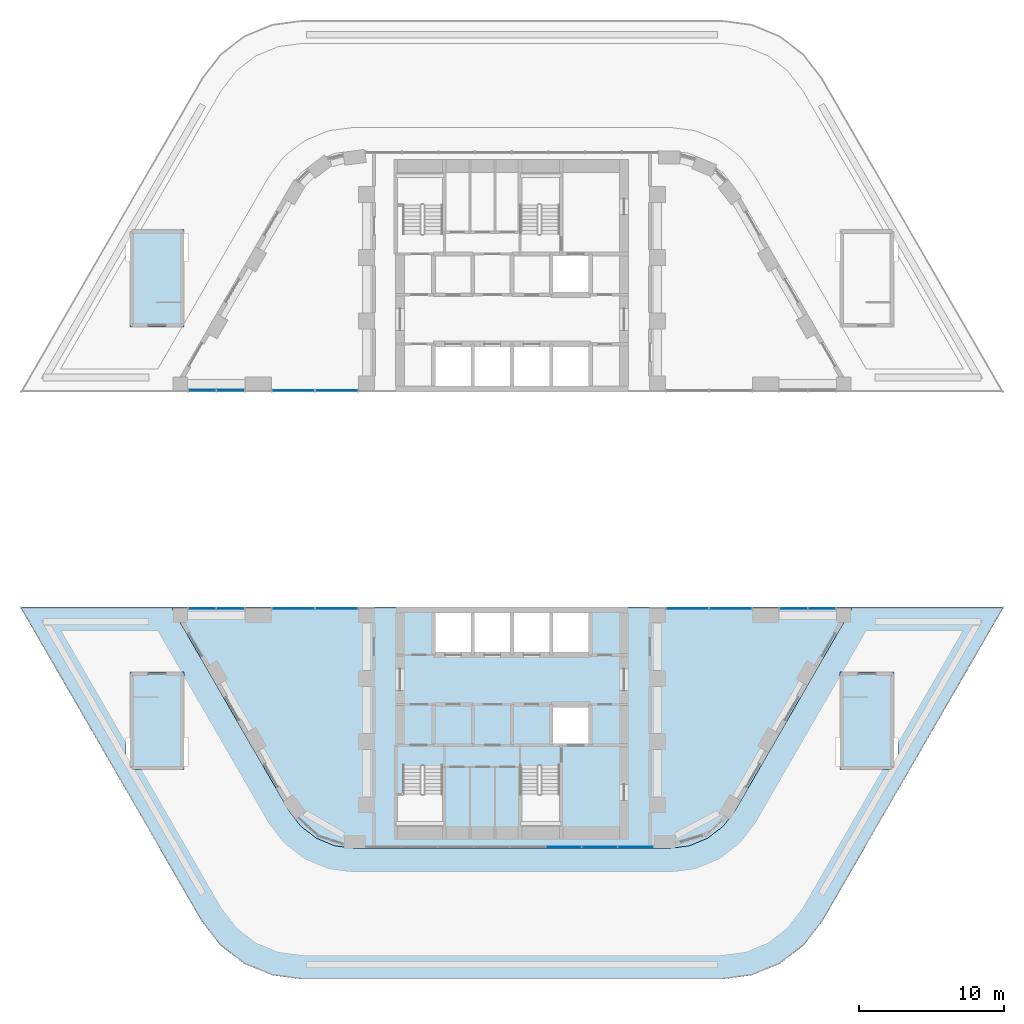
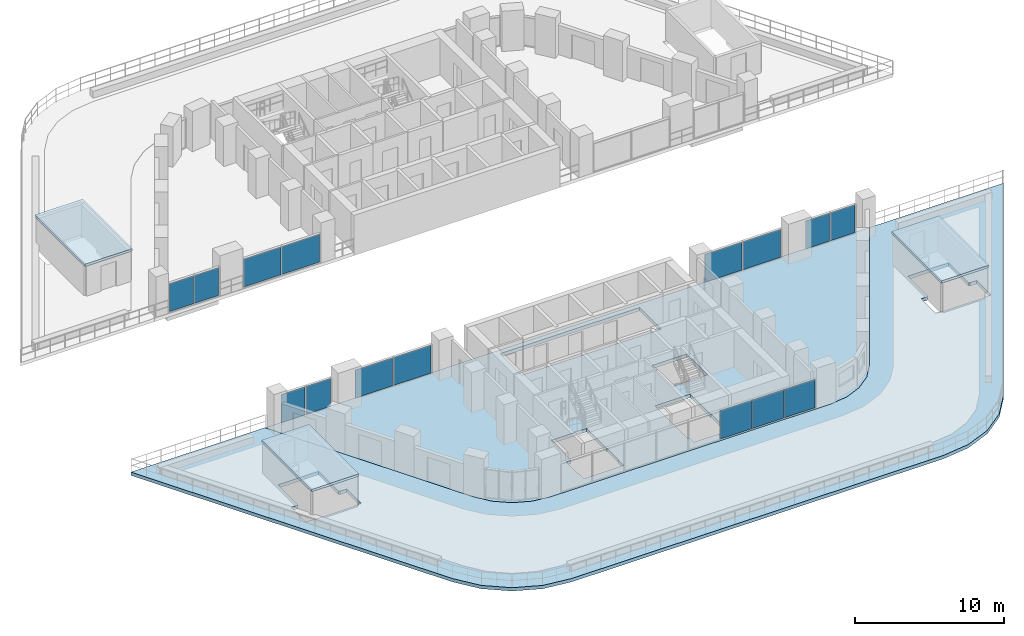
# One storey, part 7 of 24: 15 plates, 5 slabs, 7 elements without a shape of their own.
"""IFC4 building model written with IfcOpenShell, lengths in metres."""

from ifc_helpers import new_model, si_unit, direction, frame, origin, origin_2d, place, context, subcontext, project, spatial, polyline, rectangle, outline, extrude, material, layer, layer_set, type_object, element, aggregate, save


model = new_model("IFC4")

# Units and contexts
model_context = context("Model", 3, precision=1e-05, world=origin(), true_north=direction((0.0, 1.0)))
body_context = subcontext(model_context, "Body", "Model", "MODEL_VIEW")
ifc_project = project(units=[si_unit("LENGTHUNIT", "METRE"), si_unit("AREAUNIT", "SQUARE_METRE"), si_unit("VOLUMEUNIT", "CUBIC_METRE"), si_unit("PLANEANGLEUNIT", "RADIAN"), si_unit("MASSUNIT", "GRAM", prefix="KILO")], contexts=[model_context])

# Site, building, storey
site_placement = place(None, origin())
site = spatial("IfcSite", under=ifc_project, at=site_placement, CompositionType="ELEMENT")
building_placement = place(site_placement, origin())
building = spatial("IfcBuilding", under=site, at=building_placement, Name="Nakaniwa Court", CompositionType="ELEMENT")
storey_placement = place(building_placement, frame((0.0, 0.0, 28.199951171875)))
storey = spatial("IfcBuildingStorey", under=building, at=storey_placement, Name="L06", CompositionType="ELEMENT", Elevation=28.199951171875)

# Curtain wall, plates
ifc_material_1 = material(Name="Black anodised aluminium frame with dark low-E laminated double glazing", Category="aluminium")
ifc_layer_1 = layer(ifc_material_1, 0.199951171875)
ifc_layer_set_1 = layer_set([ifc_layer_1], Name="Black anodised aluminium frame with dark low-E laminated double glazing")
curtain_wall_type_1 = type_object("IfcCurtainWallType", Name="Amenity and sky level curtain wall", PredefinedType="NOTDEFINED", material=ifc_layer_set_1)
curtain_wall_1_placement = place(storey_placement, origin())
curtain_wall_1 = element("IfcCurtainWall", 1, at=curtain_wall_1_placement, inside=storey, type_object=curtain_wall_type_1, Name="L06 curtain wall CW3 11", PredefinedType="NOTDEFINED")
ifc_material_2 = material(Name="Dark toughened glass", Category="glass")
ifc_layer_2 = layer(ifc_material_2, 0.006, Name="Outer pane")
ifc_material_3 = material(Name="Argon filled cavity")
ifc_layer_3 = layer(ifc_material_3, 0.016, Name="Cavity")
ifc_material_4 = material(Name="Dark laminated safety glass", Category="glass")
ifc_layer_4 = layer(ifc_material_4, 0.006, Name="Inner pane")
ifc_layer_set_2 = layer_set([ifc_layer_2, ifc_layer_3, ifc_layer_4], Name="Dark low-E laminated double glazing")
plate_type_1 = type_object("IfcPlateType", Name="Amenity and sky level curtain wall glass panel", PredefinedType="CURTAIN_PANEL", material=ifc_layer_set_2)
plate_1_placement = place(storey_placement, frame((83.561279296875, 56.10009765625, 0.05517578125), z_axis=(0.0, 0.0, 1.0), x_axis=(1.0, 0.0, 0.0)))
plate_1 = element("IfcPlate", 2, at=plate_1_placement, type_object=plate_type_1, Name="CW3 panel 6.1", PredefinedType="CURTAIN_PANEL", context=body_context, shape_type="SweptSolid", body=[
    extrude(rectangle(XDim=2.425048828125, YDim=0.028076171875, at=origin_2d()), origin(), (0.0, 0.0, 1.0), 2.31494140625),
])
plate_2_placement = place(storey_placement, frame((86.041015625, 56.10009765625, 0.05517578125), z_axis=(0.0, 0.0, 1.0), x_axis=(1.0, 0.0, 0.0)))
plate_2 = element("IfcPlate", 3, at=plate_2_placement, type_object=plate_type_1, Name="CW3 panel 7.1", PredefinedType="CURTAIN_PANEL", context=body_context, shape_type="SweptSolid", body=[
    extrude(rectangle(XDim=2.425048828125, YDim=0.028076171875, at=origin_2d()), origin(), (0.0, 0.0, 1.0), 2.31494140625),
])
plate_3_placement = place(storey_placement, frame((88.50732421875, 56.10009765625, 0.05517578125), z_axis=(0.0, 0.0, 1.0), x_axis=(1.0, 0.0, 0.0)))
plate_3 = element("IfcPlate", 4, at=plate_3_placement, type_object=plate_type_1, Name="CW3 panel 8.1", PredefinedType="CURTAIN_PANEL", context=body_context, shape_type="SweptSolid", body=[
    extrude(rectangle(XDim=2.3974609375, YDim=0.028076171875, at=origin_2d()), origin(), (0.0, 0.0, 1.0), 2.31494140625),
])
aggregate(curtain_wall_1, [plate_1, plate_2, plate_3])

# Slabs
ifc_material_5 = material(Name="Concrete C100/115", Category="concrete")
ifc_layer_5 = layer(ifc_material_5, 0.27490234375)
ifc_layer_set_3 = layer_set([ifc_layer_5], Name="Concrete C100/115")
slab_type_1 = type_object("IfcSlabType", Name="Concrete C100/115 post tensioned floor slab 275", PredefinedType="FLOOR", material=ifc_layer_set_3)
slab_1_placement = place(storey_placement, frame((0.0, 0.0, -0.27490234375)))
element("IfcSlab", 5, at=slab_1_placement, inside=storey, type_object=slab_type_1, Name="FLOOR SLAB", PredefinedType="FLOOR", context=body_context, shape_type="SweptSolid", body=[
    extrude(outline(polyline([(95.357421875, 58.60009765625), (103.4404296875, 72.60009765625), (56.5595703125, 72.60009765625), (64.642578125, 58.60009765625), (65.468994140625, 57.52294921875), (66.5458984375, 56.69677734375), (67.800048828125, 56.17724609375), (69.145751953125, 56.0), (90.854248046875, 56.0), (92.199951171875, 56.17724609375), (93.4541015625, 56.69677734375), (94.531005859375, 57.52294921875), (95.357421875, 58.60009765625)]), holes=[polyline([(75.22509765625, 57.324951171875), (75.22509765625, 57.4599609375), (75.264892578125, 57.4599609375), (75.264892578125, 59.014892578125), (75.22509765625, 59.014892578125), (75.22509765625, 61.7099609375), (72.47509765625, 61.7099609375), (72.47509765625, 59.014892578125), (72.0849609375, 59.014892578125), (72.0849609375, 57.4599609375), (72.125, 57.4599609375), (72.125, 56.72509765625), (75.22509765625, 56.72509765625), (75.22509765625, 57.324951171875)]), polyline([(74.60009765625, 72.199951171875), (74.60009765625, 69.300048828125), (77.300048828125, 69.300048828125), (80.0, 69.300048828125), (82.699951171875, 69.300048828125), (85.39990234375, 69.300048828125), (85.39990234375, 72.199951171875), (82.699951171875, 72.199951171875), (80.0, 72.199951171875), (77.300048828125, 72.199951171875), (74.60009765625, 72.199951171875)]), polyline([(83.27490234375, 57.324951171875), (83.27490234375, 57.4599609375), (83.31494140625, 57.4599609375), (83.31494140625, 59.014892578125), (83.27490234375, 59.014892578125), (83.27490234375, 61.7099609375), (80.52490234375, 61.7099609375), (80.52490234375, 57.324951171875), (80.675048828125, 57.324951171875), (80.675048828125, 56.72509765625), (83.27490234375, 56.72509765625), (83.27490234375, 57.324951171875)]), polyline([(82.699951171875, 65.89990234375), (82.699951171875, 63.10009765625), (85.39990234375, 63.10009765625), (85.39990234375, 65.89990234375), (82.699951171875, 65.89990234375)])]), origin(), (0.0, 0.0, 1.0), 0.27490234375),
])
slab_2_placement = place(storey_placement, frame((0.0, 0.0, -0.27490234375)))
element("IfcSlab", 6, at=slab_2_placement, inside=storey, type_object=slab_type_1, Name="PLAY DECK", PredefinedType="FLOOR", context=body_context, shape_type="SweptSolid", body=[
    extrude(outline(polyline([(101.362060546875, 51.0), (113.832763671875, 72.60009765625), (103.4404296875, 72.60009765625), (95.357421875, 58.60009765625), (94.531005859375, 57.52294921875), (93.4541015625, 56.69677734375), (92.199951171875, 56.17724609375), (90.854248046875, 56.0), (69.145751953125, 56.0), (67.800048828125, 56.17724609375), (66.5458984375, 56.69677734375), (65.468994140625, 57.52294921875), (64.642578125, 58.60009765625), (56.5595703125, 72.60009765625), (46.167236328125, 72.60009765625), (58.637939453125, 51.0), (59.909423828125, 49.343017578125), (61.566162109375, 48.07177734375), (63.49560546875, 47.272705078125), (65.566162109375, 47.0), (94.433837890625, 47.0), (96.50439453125, 47.272705078125), (98.433837890625, 48.07177734375), (100.090576171875, 49.343017578125), (101.362060546875, 51.0)]), holes=[polyline([(53.425048828125, 63.625), (53.425048828125, 61.675048828125), (53.93505859375, 61.675048828125), (53.93505859375, 61.635009765625), (57.215087890625, 61.635009765625), (57.215087890625, 61.675048828125), (57.72509765625, 61.675048828125), (57.72509765625, 63.625), (57.215087890625, 63.625), (57.215087890625, 63.6650390625), (57.125, 63.6650390625), (57.125, 66.360107421875), (53.97509765625, 66.360107421875), (53.97509765625, 63.6650390625), (53.93505859375, 63.6650390625), (53.93505859375, 63.625), (53.425048828125, 63.625)]), polyline([(102.784912109375, 63.6650390625), (102.784912109375, 63.625), (102.27490234375, 63.625), (102.27490234375, 61.675048828125), (102.784912109375, 61.675048828125), (102.784912109375, 61.635009765625), (106.06494140625, 61.635009765625), (106.06494140625, 61.675048828125), (106.574951171875, 61.675048828125), (106.574951171875, 63.625), (106.06494140625, 63.625), (106.06494140625, 63.6650390625), (105.97509765625, 63.6650390625), (105.97509765625, 66.360107421875), (102.824951171875, 66.360107421875), (102.824951171875, 63.6650390625), (102.784912109375, 63.6650390625)])]), origin(), (0.0, 0.0, 1.0), 0.27490234375),
])
ifc_material_6 = material(Name="Concrete C80/100", Category="concrete")
ifc_layer_6 = layer(ifc_material_6, 0.199951171875)
ifc_layer_set_4 = layer_set([ifc_layer_6], Name="Concrete C80/100")
slab_type_2 = type_object("IfcSlabType", Name="Head house roof slab 200", PredefinedType="ROOF", material=ifc_layer_set_4)
slab_3_placement = place(storey_placement, frame((0.0, 0.0, 2.5)))
element("IfcSlab", 7, at=slab_3_placement, inside=storey, type_object=slab_type_2, Name="Stair SS2 head house roof", PredefinedType="ROOF", context=body_context, shape_type="SweptSolid", body=[
    extrude(outline(polyline([(53.72509765625, 91.875), (57.425048828125, 91.875), (57.425048828125, 98.574951171875), (53.72509765625, 98.574951171875), (53.72509765625, 91.875)])), origin(), (0.0, 0.0, 1.0), 0.199951171875),
])
slab_4_placement = place(storey_placement, frame((0.0, 0.0, 2.5)))
element("IfcSlab", 8, at=slab_4_placement, inside=storey, type_object=slab_type_2, Name="Stair SS3 head house roof", PredefinedType="ROOF", context=body_context, shape_type="SweptSolid", body=[
    extrude(outline(polyline([(102.574951171875, 61.425048828125), (106.27490234375, 61.425048828125), (106.27490234375, 68.125), (102.574951171875, 68.125), (102.574951171875, 61.425048828125)])), origin(), (0.0, 0.0, 1.0), 0.199951171875),
])
slab_5_placement = place(storey_placement, frame((0.0, 0.0, 2.5)))
element("IfcSlab", 9, at=slab_5_placement, inside=storey, type_object=slab_type_2, Name="Stair SS4 head house roof", PredefinedType="ROOF", context=body_context, shape_type="SweptSolid", body=[
    extrude(outline(polyline([(53.72509765625, 61.425048828125), (57.425048828125, 61.425048828125), (57.425048828125, 68.125), (53.72509765625, 68.125), (53.72509765625, 61.425048828125)])), origin(), (0.0, 0.0, 1.0), 0.199951171875),
])

# Curtain wall, plates
ifc_layer_7 = layer(ifc_material_1, 0.199951171875)
ifc_layer_set_5 = layer_set([ifc_layer_7], Name="Black anodised aluminium frame with dark low-E laminated double glazing")
curtain_wall_type_2 = type_object("IfcCurtainWallType", Name="Portal side curtain wall", PredefinedType="NOTDEFINED", material=ifc_layer_set_5)
curtain_wall_2_placement = place(storey_placement, origin())
curtain_wall_2 = element("IfcCurtainWall", 10, at=curtain_wall_2_placement, inside=storey, type_object=curtain_wall_type_2, Name="L06 curtain wall CW5 02", PredefinedType="NOTDEFINED")
ifc_layer_8 = layer(ifc_material_2, 0.009, Name="Outer pane")
ifc_layer_9 = layer(ifc_material_3, 0.016, Name="Cavity")
ifc_layer_10 = layer(ifc_material_4, 0.009, Name="Inner pane")
ifc_layer_set_6 = layer_set([ifc_layer_8, ifc_layer_9, ifc_layer_10], Name="Dark low-E laminated double glazing")
plate_type_2 = type_object("IfcPlateType", Name="Portal side curtain wall glass panel", PredefinedType="CURTAIN_PANEL", material=ifc_layer_set_6)
plate_4_placement = place(storey_placement, frame((101.31494140625, 72.5, 0.065185546875), z_axis=(0.0, 0.0, 1.0), x_axis=(-1.0, 0.0, 0.0)))
plate_4 = element("IfcPlate", 11, at=plate_4_placement, type_object=plate_type_2, Name="CW5 panel 1.1", PredefinedType="CURTAIN_PANEL", context=body_context, shape_type="SweptSolid", body=[
    extrude(rectangle(XDim=1.8740234375, YDim=0.033935546875, at=origin_2d()), origin(), (0.0, 0.0, 1.0), 2.294921875),
])
plate_5_placement = place(storey_placement, frame((99.365966796875, 72.5, 0.065185546875), z_axis=(0.0, 0.0, 1.0), x_axis=(-1.0, 0.0, 0.0)))
plate_5 = element("IfcPlate", 12, at=plate_5_placement, type_object=plate_type_2, Name="CW5 panel 2.1", PredefinedType="CURTAIN_PANEL", context=body_context, shape_type="SweptSolid", body=[
    extrude(rectangle(XDim=1.8740234375, YDim=0.033935546875, at=origin_2d()), origin(), (0.0, 0.0, 1.0), 2.294921875),
])
aggregate(curtain_wall_2, [plate_4, plate_5])

curtain_wall_3_placement = place(storey_placement, origin())
curtain_wall_3 = element("IfcCurtainWall", 13, at=curtain_wall_3_placement, inside=storey, type_object=curtain_wall_type_2, Name="L06 curtain wall CW5 03", PredefinedType="NOTDEFINED")
plate_6_placement = place(storey_placement, frame((95.039306640625, 72.5, 0.065185546875), z_axis=(0.0, 0.0, 1.0), x_axis=(-1.0, 0.0, 0.0)))
plate_6 = element("IfcPlate", 14, at=plate_6_placement, type_object=plate_type_2, Name="CW5 panel 1.1", PredefinedType="CURTAIN_PANEL", context=body_context, shape_type="SweptSolid", body=[
    extrude(rectangle(XDim=2.8955078125, YDim=0.033935546875, at=origin_2d()), origin(), (0.0, 0.0, 1.0), 2.294921875),
])
plate_7_placement = place(storey_placement, frame((92.06884765625, 72.5, 0.065185546875), z_axis=(0.0, 0.0, 1.0), x_axis=(-1.0, 0.0, 0.0)))
plate_7 = element("IfcPlate", 15, at=plate_7_placement, type_object=plate_type_2, Name="CW5 panel 2.1", PredefinedType="CURTAIN_PANEL", context=body_context, shape_type="SweptSolid", body=[
    extrude(rectangle(XDim=2.8955078125, YDim=0.033935546875, at=origin_2d()), origin(), (0.0, 0.0, 1.0), 2.294921875),
])
aggregate(curtain_wall_3, [plate_6, plate_7])

curtain_wall_4_placement = place(storey_placement, origin())
curtain_wall_4 = element("IfcCurtainWall", 16, at=curtain_wall_4_placement, inside=storey, type_object=curtain_wall_type_2, Name="L06 curtain wall CW5 04", PredefinedType="NOTDEFINED")
plate_8_placement = place(storey_placement, frame((67.93115234375, 72.5, 0.065185546875), z_axis=(0.0, 0.0, 1.0), x_axis=(-1.0, 0.0, 0.0)))
plate_8 = element("IfcPlate", 17, at=plate_8_placement, type_object=plate_type_2, Name="CW5 panel 1.1", PredefinedType="CURTAIN_PANEL", context=body_context, shape_type="SweptSolid", body=[
    extrude(rectangle(XDim=2.8955078125, YDim=0.033935546875, at=origin_2d()), origin(), (0.0, 0.0, 1.0), 2.294921875),
])
plate_9_placement = place(storey_placement, frame((64.960693359375, 72.5, 0.065185546875), z_axis=(0.0, 0.0, 1.0), x_axis=(-1.0, 0.0, 0.0)))
plate_9 = element("IfcPlate", 18, at=plate_9_placement, type_object=plate_type_2, Name="CW5 panel 2.1", PredefinedType="CURTAIN_PANEL", context=body_context, shape_type="SweptSolid", body=[
    extrude(rectangle(XDim=2.8955078125, YDim=0.033935546875, at=origin_2d()), origin(), (0.0, 0.0, 1.0), 2.294921875),
])
aggregate(curtain_wall_4, [plate_8, plate_9])

curtain_wall_5_placement = place(storey_placement, origin())
curtain_wall_5 = element("IfcCurtainWall", 19, at=curtain_wall_5_placement, inside=storey, type_object=curtain_wall_type_2, Name="L06 curtain wall CW5 05", PredefinedType="NOTDEFINED")
plate_10_placement = place(storey_placement, frame((60.634033203125, 72.5, 0.065185546875), z_axis=(0.0, 0.0, 1.0), x_axis=(-1.0, 0.0, 0.0)))
plate_10 = element("IfcPlate", 20, at=plate_10_placement, type_object=plate_type_2, Name="CW5 panel 1.1", PredefinedType="CURTAIN_PANEL", context=body_context, shape_type="SweptSolid", body=[
    extrude(rectangle(XDim=1.8740234375, YDim=0.033935546875, at=origin_2d()), origin(), (0.0, 0.0, 1.0), 2.294921875),
])
plate_11_placement = place(storey_placement, frame((58.68505859375, 72.5, 0.065185546875), z_axis=(0.0, 0.0, 1.0), x_axis=(-1.0, 0.0, 0.0)))
plate_11 = element("IfcPlate", 21, at=plate_11_placement, type_object=plate_type_2, Name="CW5 panel 2.1", PredefinedType="CURTAIN_PANEL", context=body_context, shape_type="SweptSolid", body=[
    extrude(rectangle(XDim=1.8740234375, YDim=0.033935546875, at=origin_2d()), origin(), (0.0, 0.0, 1.0), 2.294921875),
])
aggregate(curtain_wall_5, [plate_10, plate_11])

curtain_wall_6_placement = place(storey_placement, origin())
curtain_wall_6 = element("IfcCurtainWall", 22, at=curtain_wall_6_placement, inside=storey, type_object=curtain_wall_type_2, Name="L06 curtain wall CW5 17", PredefinedType="NOTDEFINED")
plate_12_placement = place(storey_placement, frame((58.68505859375, 87.5, 0.065185546875), z_axis=(0.0, 0.0, 1.0), x_axis=(1.0, 0.0, 0.0)))
plate_12 = element("IfcPlate", 23, at=plate_12_placement, type_object=plate_type_2, Name="CW5 panel 1.1", PredefinedType="CURTAIN_PANEL", context=body_context, shape_type="SweptSolid", body=[
    extrude(rectangle(XDim=1.8740234375, YDim=0.033935546875, at=origin_2d()), origin(), (0.0, 0.0, 1.0), 2.294921875),
])
plate_13_placement = place(storey_placement, frame((60.634033203125, 87.5, 0.065185546875), z_axis=(0.0, 0.0, 1.0), x_axis=(1.0, 0.0, 0.0)))
plate_13 = element("IfcPlate", 24, at=plate_13_placement, type_object=plate_type_2, Name="CW5 panel 2.1", PredefinedType="CURTAIN_PANEL", context=body_context, shape_type="SweptSolid", body=[
    extrude(rectangle(XDim=1.8740234375, YDim=0.033935546875, at=origin_2d()), origin(), (0.0, 0.0, 1.0), 2.294921875),
])
aggregate(curtain_wall_6, [plate_12, plate_13])

curtain_wall_7_placement = place(storey_placement, origin())
curtain_wall_7 = element("IfcCurtainWall", 25, at=curtain_wall_7_placement, inside=storey, type_object=curtain_wall_type_2, Name="L06 curtain wall CW5 18", PredefinedType="NOTDEFINED")
plate_14_placement = place(storey_placement, frame((64.960693359375, 87.5, 0.065185546875), z_axis=(0.0, 0.0, 1.0), x_axis=(1.0, 0.0, 0.0)))
plate_14 = element("IfcPlate", 26, at=plate_14_placement, type_object=plate_type_2, Name="CW5 panel 1.1", PredefinedType="CURTAIN_PANEL", context=body_context, shape_type="SweptSolid", body=[
    extrude(rectangle(XDim=2.8955078125, YDim=0.033935546875, at=origin_2d()), origin(), (0.0, 0.0, 1.0), 2.294921875),
])
plate_15_placement = place(storey_placement, frame((67.93115234375, 87.5, 0.065185546875), z_axis=(0.0, 0.0, 1.0), x_axis=(1.0, 0.0, 0.0)))
plate_15 = element("IfcPlate", 27, at=plate_15_placement, type_object=plate_type_2, Name="CW5 panel 2.1", PredefinedType="CURTAIN_PANEL", context=body_context, shape_type="SweptSolid", body=[
    extrude(rectangle(XDim=2.8955078125, YDim=0.033935546875, at=origin_2d()), origin(), (0.0, 0.0, 1.0), 2.294921875),
])
aggregate(curtain_wall_7, [plate_14, plate_15])

save(model, "model.ifc")
